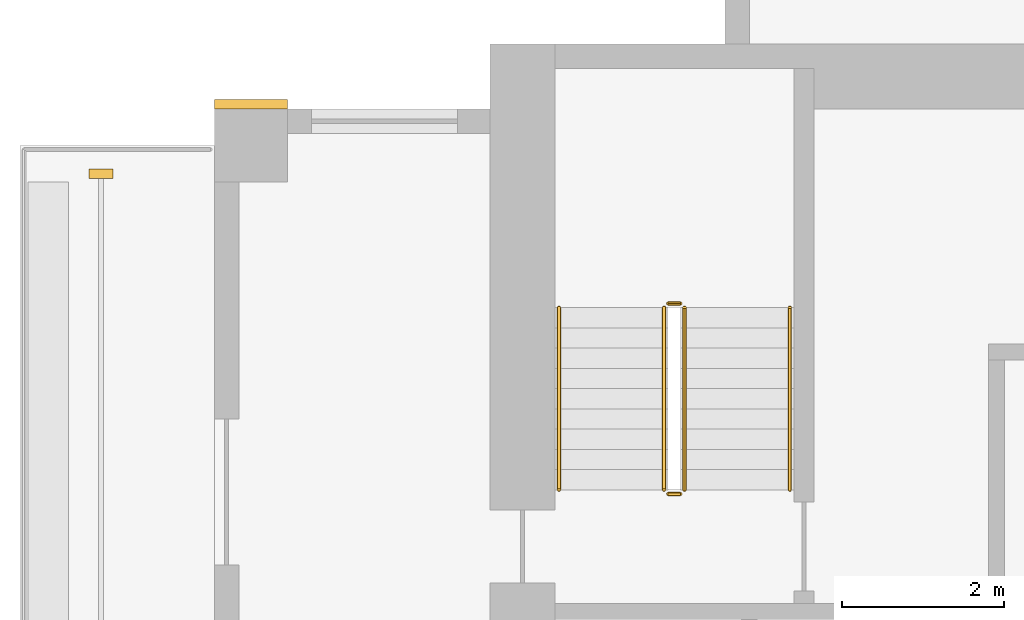
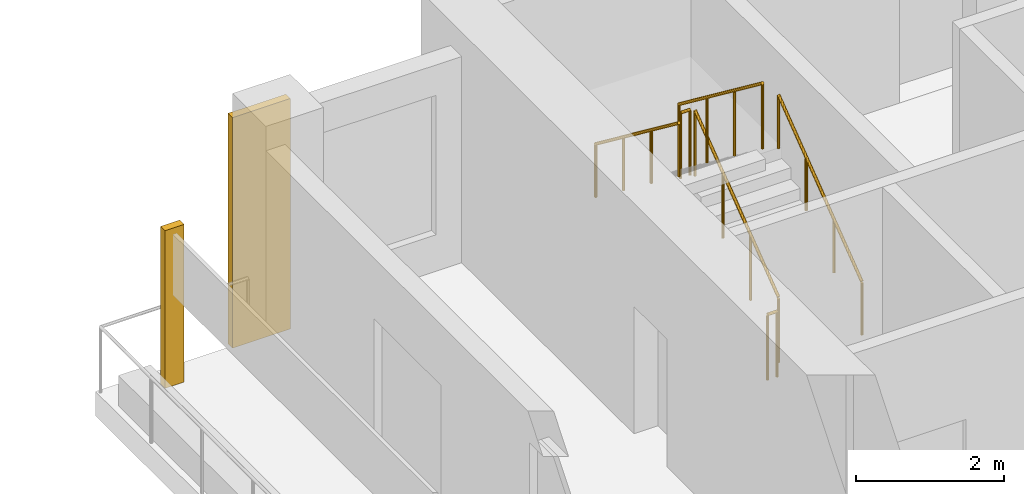
# One storey, part 10 of 12: 6 railings, 2 coverings.
"""IFC4 building model written with IfcOpenShell, lengths in metres."""

from ifc_helpers import new_model, si_unit, direction, frame, origin, origin_2d, place, context, subcontext, project, spatial, rectangle, circle, extrude, source, transform, mapped, material, type_object, element, save


model = new_model("IFC4")

# Units and contexts
model_context = context("Model", 3, precision=1e-05, world=origin(), true_north=direction((0.0, 1.0)))
body_context = subcontext(model_context, "Body", "Model", "MODEL_VIEW")
ifc_project = project(units=[si_unit("LENGTHUNIT", "METRE"), si_unit("AREAUNIT", "SQUARE_METRE"), si_unit("VOLUMEUNIT", "CUBIC_METRE"), si_unit("PLANEANGLEUNIT", "RADIAN"), si_unit("MASSUNIT", "GRAM", prefix="KILO")], contexts=[model_context])

# Site, building, storey
site_placement = place(None, origin())
site = spatial("IfcSite", under=ifc_project, at=site_placement, CompositionType="ELEMENT")
building_placement = place(site_placement, origin())
building = spatial("IfcBuilding", under=site, at=building_placement, Name="Aurelian Terraces", CompositionType="ELEMENT")
storey_placement = place(building_placement, frame((0.0, 0.0, 200.6)))
storey = spatial("IfcBuildingStorey", under=building, at=storey_placement, Name="L44", CompositionType="ELEMENT", Elevation=200.6)

# Coverings
ifc_material_1 = material(Name="Terracotta rainscreen cladding relief", Category="masonry")
covering_type_1 = type_object("IfcCoveringType", Name="FIN-TC", PredefinedType="CLADDING", material=ifc_material_1)
shared_shape_1 = source(origin(), body_context, "Body", "SweptSolid", [
    extrude(rectangle(XDim=0.3, YDim=0.12, at=origin_2d()), origin(), (0.0, 0.0, 1.0), 2.6),
])
covering_1_placement = place(storey_placement, frame((-1.4, 20.2, 0.0), z_axis=(0.0, 0.0, 1.0), x_axis=(1.0, 0.0, 0.0)))
element("IfcCovering", 1, at=covering_1_placement, inside=storey, type_object=covering_type_1, Name="FIN L44 L44-F20-35.1", PredefinedType="CLADDING", context=body_context, shape_type="MappedRepresentation", body=[
    mapped(shared_shape_1, transform((0.0, 0.0, 0.0), scale=1.0)),
])
covering_type_2 = type_object("IfcCoveringType", Name="BAGUETTE-TC", PredefinedType="CLADDING", material=ifc_material_1)
shared_shape_2 = source(origin(), body_context, "Body", "SweptSolid", [
    extrude(rectangle(XDim=0.9, YDim=0.12, at=origin_2d()), origin(), (0.0, 0.0, 1.0), 3.8),
])
covering_2_placement = place(storey_placement, frame((0.45, 21.06, -0.4), z_axis=(0.0, 0.0, 1.0), x_axis=(1.0, 0.0, 0.0)))
element("IfcCovering", 2, at=covering_2_placement, inside=storey, type_object=covering_type_2, Name="BAGUETTE pier L44 5", PredefinedType="CLADDING", context=body_context, shape_type="MappedRepresentation", body=[
    mapped(shared_shape_2, transform((0.0, 0.0, 0.0), scale=1.0)),
])

# Railings
ifc_material_2 = material(Name="Stainless steel", Category="steel")
railing_type_1 = type_object("IfcRailingType", Name="Stair guard 1100", PredefinedType="GUARDRAIL", material=ifc_material_2)
shared_shape_3 = source(origin(), body_context, "Body", "SweptSolid", [
    extrude(circle(Radius=0.024, at=origin_2d()), frame((0.0, 0.0, 1.076), z_axis=(-1.0, 0.0, 0.0), x_axis=(0.0, -1.0, 0.0)), (0.0, 0.0, 1.0), 0.15),
    extrude(circle(Radius=0.021, at=origin_2d()), origin(), (0.0, 0.0, 1.0), 1.052),
    extrude(circle(Radius=0.021, at=origin_2d()), frame((-0.15, 0.0, 0.0)), (0.0, 0.0, 1.0), 1.052),
])
for number, where, name in (
    (3, (5.75, 18.6, 1.9), "L44 S1 stair guard 2"),
    (4, (5.75, 16.25, 0.0), "L44 S1 stair guard 4"),
):
    element("IfcRailing", number, at=place(storey_placement, frame(where)), inside=storey, type_object=railing_type_1, Name=name, PredefinedType="GUARDRAIL", context=body_context, shape_type="MappedRepresentation", body=[
        mapped(shared_shape_3, transform((0.0, 0.0, 0.0), scale=1.0)),
    ])
shared_shape_4 = source(origin(), body_context, "Body", "SweptSolid", [
    extrude(circle(Radius=0.024, at=origin_2d()), frame((0.0, 0.0, 1.076), z_axis=(0.0, 0.796162194123, 0.605083267534), x_axis=(-1.0, 0.0, 0.0)), (0.0, 0.0, 1.0), 2.8261),
    extrude(circle(Radius=0.021, at=origin_2d()), origin(), (0.0, 0.0, 1.0), 1.052),
    extrude(circle(Radius=0.021, at=origin_2d()), frame((0.0, 0.75, 0.57)), (0.0, 0.0, 1.0), 1.052),
    extrude(circle(Radius=0.021, at=origin_2d()), frame((0.0, 1.5, 1.14)), (0.0, 0.0, 1.0), 1.052),
    extrude(circle(Radius=0.021, at=origin_2d()), frame((0.0, 2.25, 1.71)), (0.0, 0.0, 1.0), 1.052),
])
railing_1_placement = place(storey_placement, frame((5.8, 16.3, 0.19)))
element("IfcRailing", 5, at=railing_1_placement, inside=storey, type_object=railing_type_1, Name="L44 S1 stair guard 1", PredefinedType="GUARDRAIL", context=body_context, shape_type="MappedRepresentation", body=[
    mapped(shared_shape_4, transform((0.0, 0.0, 0.0), scale=1.0)),
])
shared_shape_5 = source(origin(), body_context, "Body", "SweptSolid", [
    extrude(circle(Radius=0.024, at=origin_2d()), frame((0.0, 0.0, 1.076), z_axis=(0.0, -0.796162194123, 0.605083267534), x_axis=(1.0, 0.0, 0.0)), (0.0, 0.0, 1.0), 2.8261),
    extrude(circle(Radius=0.021, at=origin_2d()), origin(), (0.0, 0.0, 1.0), 1.052),
    extrude(circle(Radius=0.021, at=origin_2d()), frame((0.0, -0.75, 0.57)), (0.0, 0.0, 1.0), 1.052),
    extrude(circle(Radius=0.021, at=origin_2d()), frame((0.0, -1.5, 1.14)), (0.0, 0.0, 1.0), 1.052),
    extrude(circle(Radius=0.021, at=origin_2d()), frame((0.0, -2.25, 1.71)), (0.0, 0.0, 1.0), 1.052),
])
railing_2_placement = place(storey_placement, frame((5.55, 18.55, 2.09)))
element("IfcRailing", 6, at=railing_2_placement, inside=storey, type_object=railing_type_1, Name="L44 S1 stair guard 3", PredefinedType="GUARDRAIL", context=body_context, shape_type="MappedRepresentation", body=[
    mapped(shared_shape_5, transform((0.0, 0.0, 0.0), scale=1.0)),
])
railing_type_2 = type_object("IfcRailingType", Name="Stair handrail", PredefinedType="HANDRAIL", material=ifc_material_2)
shared_shape_6 = source(origin(), body_context, "Body", "SweptSolid", [
    extrude(circle(Radius=0.024, at=origin_2d()), frame((0.0, 0.0, 0.876), z_axis=(0.0, 0.796162194123, 0.605083267534), x_axis=(-1.0, 0.0, 0.0)), (0.0, 0.0, 1.0), 2.8261),
    extrude(circle(Radius=0.021, at=origin_2d()), origin(), (0.0, 0.0, 1.0), 0.852),
    extrude(circle(Radius=0.021, at=origin_2d()), frame((0.0, 0.75, 0.57)), (0.0, 0.0, 1.0), 0.852),
    extrude(circle(Radius=0.021, at=origin_2d()), frame((0.0, 1.5, 1.14)), (0.0, 0.0, 1.0), 0.852),
    extrude(circle(Radius=0.021, at=origin_2d()), frame((0.0, 2.25, 1.71)), (0.0, 0.0, 1.0), 0.852),
])
railing_3_placement = place(storey_placement, frame((7.1, 16.3, 0.19)))
element("IfcRailing", 7, at=railing_3_placement, inside=storey, type_object=railing_type_2, Name="L44 S1 stair handrail 1", PredefinedType="HANDRAIL", context=body_context, shape_type="MappedRepresentation", body=[
    mapped(shared_shape_6, transform((0.0, 0.0, 0.0), scale=1.0)),
])
shared_shape_7 = source(origin(), body_context, "Body", "SweptSolid", [
    extrude(circle(Radius=0.024, at=origin_2d()), frame((0.0, 0.0, 0.876), z_axis=(0.0, -0.796162194123, 0.605083267534), x_axis=(1.0, 0.0, 0.0)), (0.0, 0.0, 1.0), 2.8261),
    extrude(circle(Radius=0.021, at=origin_2d()), origin(), (0.0, 0.0, 1.0), 0.852),
    extrude(circle(Radius=0.021, at=origin_2d()), frame((0.0, -0.75, 0.57)), (0.0, 0.0, 1.0), 0.852),
    extrude(circle(Radius=0.021, at=origin_2d()), frame((0.0, -1.5, 1.14)), (0.0, 0.0, 1.0), 0.852),
    extrude(circle(Radius=0.021, at=origin_2d()), frame((0.0, -2.25, 1.71)), (0.0, 0.0, 1.0), 0.852),
])
railing_4_placement = place(storey_placement, frame((4.25, 18.55, 2.09)))
element("IfcRailing", 8, at=railing_4_placement, inside=storey, type_object=railing_type_2, Name="L44 S1 stair handrail 2", PredefinedType="HANDRAIL", context=body_context, shape_type="MappedRepresentation", body=[
    mapped(shared_shape_7, transform((0.0, 0.0, 0.0), scale=1.0)),
])

save(model, "model.ifc")
